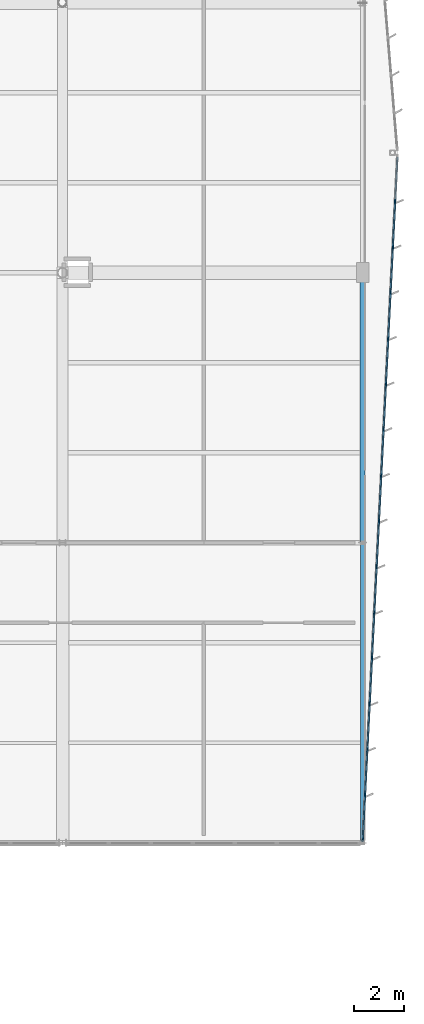
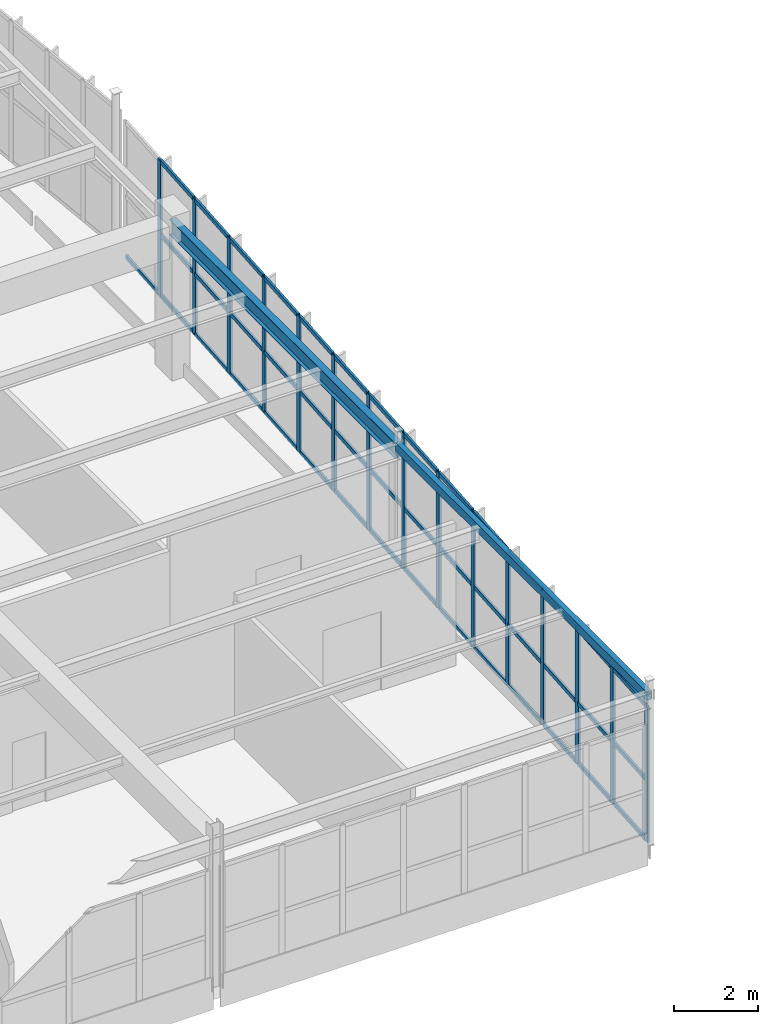
# One storey, part 111 of 186: 58 members, 2 beams, 1 element without a shape of its own.
"""IFC4 building model written with IfcOpenShell, lengths in metres."""

from ifc_helpers import new_model, si_unit, direction, frame, origin, origin_2d, place, context, subcontext, project, spatial, rectangle, hollow_rectangle, i_section, extrude, material, layer, layer_set, material_profile, profile_set, type_object, element, aggregate, save


model = new_model("IFC4")

# Units and contexts
model_context = context("Model", 3, precision=1e-05, world=origin(), true_north=direction((0.0, 1.0)))
body_context = subcontext(model_context, "Body", "Model", "MODEL_VIEW")
ifc_project = project(units=[si_unit("LENGTHUNIT", "METRE"), si_unit("AREAUNIT", "SQUARE_METRE"), si_unit("VOLUMEUNIT", "CUBIC_METRE"), si_unit("PLANEANGLEUNIT", "RADIAN"), si_unit("MASSUNIT", "GRAM", prefix="KILO")], contexts=[model_context])

# Site, building, storey
site_placement = place(None, origin())
site = spatial("IfcSite", under=ifc_project, at=site_placement, CompositionType="ELEMENT")
building_placement = place(site_placement, origin())
building = spatial("IfcBuilding", under=site, at=building_placement, Name="Tarnwether General Hospital", CompositionType="ELEMENT")
storey_placement = place(building_placement, frame((0.0, 0.0, 9.60009765625)))
storey = spatial("IfcBuildingStorey", under=building, at=storey_placement, Name="L02", CompositionType="ELEMENT", Elevation=9.60009765625)

# Beams
ifc_material_1 = material(Name="Steel Grade 350 (350 MPa)", Category="steel")
ifc_material_profile_1 = material_profile(ifc_material_1, i_section(OverallWidth=0.18994140625, OverallDepth=0.4541015625, WebThickness=0.008544921875, FlangeThickness=0.0126953125, at=origin_2d()), Name="460UB67.1")
ifc_profile_set_1 = profile_set([ifc_material_profile_1], Name="Steel Grade 350 (350 MPa)")
beam_type_1 = type_object("IfcBeamType", Name="BM-SP1", PredefinedType="SPANDREL", material=ifc_profile_set_1)
beam_1_placement = place(storey_placement, frame((192.0, 93.60009765625, 4.212890625), z_axis=(0.0, 1.0, 0.0), x_axis=(-1.0, 0.0, 0.0)))
element("IfcBeam", 1, at=beam_1_placement, inside=storey, type_object=beam_type_1, Name="Primary Girder BMG-L02-19200_9360-19200_10440-1645", PredefinedType="SPANDREL", context=body_context, shape_type="SweptSolid", body=[
    extrude(i_section(OverallWidth=0.18994140625, OverallDepth=0.4541015625, WebThickness=0.008544921875, FlangeThickness=0.0126953125, at=origin_2d()), origin(), (0.0, 0.0, 1.0), 10.7998046875),
])
ifc_material_2 = material(Name="Steel Grade C350L0 (350 MPa)", Category="steel")
ifc_material_profile_2 = material_profile(ifc_material_2, hollow_rectangle(XDim=0.14990234375, YDim=0.25, WallThickness=0.008056640625, at=origin_2d()), Name="RHS250x150x8")
ifc_profile_set_2 = profile_set([ifc_material_profile_2], Name="Steel Grade C350L0 (350 MPa)")
beam_type_2 = type_object("IfcBeamType", Name="BM-SP8", PredefinedType="SPANDREL", material=ifc_profile_set_2)
beam_2_placement = place(storey_placement, frame((192.0, 81.60009765625, 4.31494140625), z_axis=(0.0, 1.0, 0.0), x_axis=(-1.0, 0.0, 0.0)))
element("IfcBeam", 2, at=beam_2_placement, inside=storey, type_object=beam_type_2, Name="Primary Girder BMG-L02-19200_8160-19200_9360-1644", PredefinedType="SPANDREL", context=body_context, shape_type="SweptSolid", body=[
    extrude(hollow_rectangle(XDim=0.14990234375, YDim=0.25, WallThickness=0.008056640625, at=origin_2d()), origin(), (0.0, 0.0, 1.0), 12.0),
])

# Curtain wall, members
ifc_material_3 = material(Name="Anodised aluminium", Category="aluminium")
ifc_layer = layer(ifc_material_3, 0.159912109375)
ifc_layer_set = layer_set([ifc_layer], Name="Anodised aluminium")
curtain_wall_type = type_object("IfcCurtainWallType", Name="CW-17", PredefinedType="NOTDEFINED", material=ifc_layer_set)
curtain_wall_placement = place(storey_placement, origin())
curtain_wall = element("IfcCurtainWall", 3, at=curtain_wall_placement, inside=storey, type_object=curtain_wall_type, Name="Curtain Wall CWG-L02-1934_1091-0471", PredefinedType="NOTDEFINED")
ifc_material_4 = material(Name="Anodised aluminium", Category="aluminium")
ifc_material_profile_3 = material_profile(ifc_material_4, rectangle(XDim=0.06005859375, YDim=0.159912109375, at=origin_2d()), Name="ALU-MUL-60x160")
ifc_profile_set_3 = profile_set([ifc_material_profile_3], Name="Anodised aluminium")
member_type_1 = type_object("IfcMemberType", Name="CW-ML1", PredefinedType="MULLION", material=ifc_profile_set_3)
member_1_placement = place(storey_placement, frame((193.30126953125, 107.25390625, 0.0), z_axis=(0.0, 0.0, 1.0), x_axis=(0.998715060385, -0.050677688973, 0.0)))
member_1 = element("IfcMember", 4, at=member_1_placement, type_object=member_type_1, Name="CW-17 mullion 2", PredefinedType="MULLION", context=body_context, shape_type="SweptSolid", body=[
    extrude(rectangle(XDim=0.06005859375, YDim=0.159912109375, at=origin_2d()), origin(), (0.0, 0.0, 1.0), 3.968017578125),
])
member_2_placement = place(storey_placement, frame((193.208740234375, 105.427490234375, 0.0), z_axis=(0.0, 0.0, 1.0), x_axis=(0.998715060385, -0.050677688973, 0.0)))
member_2 = element("IfcMember", 5, at=member_2_placement, type_object=member_type_1, Name="CW-17 mullion 3", PredefinedType="MULLION", context=body_context, shape_type="SweptSolid", body=[
    extrude(rectangle(XDim=0.06005859375, YDim=0.159912109375, at=origin_2d()), origin(), (0.0, 0.0, 1.0), 3.968017578125),
])
member_3_placement = place(storey_placement, frame((193.115966796875, 103.601318359375, 0.0), z_axis=(0.0, 0.0, 1.0), x_axis=(0.998715060385, -0.050677688973, 0.0)))
member_3 = element("IfcMember", 6, at=member_3_placement, type_object=member_type_1, Name="CW-17 mullion 4", PredefinedType="MULLION", context=body_context, shape_type="SweptSolid", body=[
    extrude(rectangle(XDim=0.06005859375, YDim=0.159912109375, at=origin_2d()), origin(), (0.0, 0.0, 1.0), 3.968017578125),
])
member_4_placement = place(storey_placement, frame((193.0234375, 101.775146484375, 0.0), z_axis=(0.0, 0.0, 1.0), x_axis=(0.998715060385, -0.050677688973, 0.0)))
member_4 = element("IfcMember", 7, at=member_4_placement, type_object=member_type_1, Name="CW-17 mullion 5", PredefinedType="MULLION", context=body_context, shape_type="SweptSolid", body=[
    extrude(rectangle(XDim=0.06005859375, YDim=0.159912109375, at=origin_2d()), origin(), (0.0, 0.0, 1.0), 3.968017578125),
])
member_5_placement = place(storey_placement, frame((192.9306640625, 99.948974609375, 0.0), z_axis=(0.0, 0.0, 1.0), x_axis=(0.998715060385, -0.050677688973, 0.0)))
member_5 = element("IfcMember", 8, at=member_5_placement, type_object=member_type_1, Name="CW-17 mullion 6", PredefinedType="MULLION", context=body_context, shape_type="SweptSolid", body=[
    extrude(rectangle(XDim=0.06005859375, YDim=0.159912109375, at=origin_2d()), origin(), (0.0, 0.0, 1.0), 3.968017578125),
])
member_6_placement = place(storey_placement, frame((192.837890625, 98.122802734375, 0.0), z_axis=(0.0, 0.0, 1.0), x_axis=(0.998715060385, -0.050677688973, 0.0)))
member_6 = element("IfcMember", 9, at=member_6_placement, type_object=member_type_1, Name="CW-17 mullion 7", PredefinedType="MULLION", context=body_context, shape_type="SweptSolid", body=[
    extrude(rectangle(XDim=0.06005859375, YDim=0.159912109375, at=origin_2d()), origin(), (0.0, 0.0, 1.0), 3.968017578125),
])
member_7_placement = place(storey_placement, frame((192.745361328125, 96.296630859375, 0.0), z_axis=(0.0, 0.0, 1.0), x_axis=(0.998715060385, -0.050677688973, 0.0)))
member_7 = element("IfcMember", 10, at=member_7_placement, type_object=member_type_1, Name="CW-17 mullion 8", PredefinedType="MULLION", context=body_context, shape_type="SweptSolid", body=[
    extrude(rectangle(XDim=0.06005859375, YDim=0.159912109375, at=origin_2d()), origin(), (0.0, 0.0, 1.0), 3.968017578125),
])
member_8_placement = place(storey_placement, frame((192.652587890625, 94.470458984375, 0.0), z_axis=(0.0, 0.0, 1.0), x_axis=(0.998715060385, -0.050677688973, 0.0)))
member_8 = element("IfcMember", 11, at=member_8_placement, type_object=member_type_1, Name="CW-17 mullion 9", PredefinedType="MULLION", context=body_context, shape_type="SweptSolid", body=[
    extrude(rectangle(XDim=0.06005859375, YDim=0.159912109375, at=origin_2d()), origin(), (0.0, 0.0, 1.0), 3.968017578125),
])
member_9_placement = place(storey_placement, frame((192.56005859375, 92.644287109375, 0.0), z_axis=(0.0, 0.0, 1.0), x_axis=(0.998715060385, -0.050677688973, 0.0)))
member_9 = element("IfcMember", 12, at=member_9_placement, type_object=member_type_1, Name="CW-17 mullion 10", PredefinedType="MULLION", context=body_context, shape_type="SweptSolid", body=[
    extrude(rectangle(XDim=0.06005859375, YDim=0.159912109375, at=origin_2d()), origin(), (0.0, 0.0, 1.0), 3.968017578125),
])
member_10_placement = place(storey_placement, frame((192.46728515625, 90.818115234375, 0.0), z_axis=(0.0, 0.0, 1.0), x_axis=(0.998715060385, -0.050677688973, 0.0)))
member_10 = element("IfcMember", 13, at=member_10_placement, type_object=member_type_1, Name="CW-17 mullion 11", PredefinedType="MULLION", context=body_context, shape_type="SweptSolid", body=[
    extrude(rectangle(XDim=0.06005859375, YDim=0.159912109375, at=origin_2d()), origin(), (0.0, 0.0, 1.0), 3.968017578125),
])
member_11_placement = place(storey_placement, frame((192.374755859375, 88.99169921875, 0.0), z_axis=(0.0, 0.0, 1.0), x_axis=(0.998715060385, -0.050677688973, 0.0)))
member_11 = element("IfcMember", 14, at=member_11_placement, type_object=member_type_1, Name="CW-17 mullion 12", PredefinedType="MULLION", context=body_context, shape_type="SweptSolid", body=[
    extrude(rectangle(XDim=0.06005859375, YDim=0.159912109375, at=origin_2d()), origin(), (0.0, 0.0, 1.0), 3.968017578125),
])
member_12_placement = place(storey_placement, frame((192.281982421875, 87.16552734375, 0.0), z_axis=(0.0, 0.0, 1.0), x_axis=(0.998715060385, -0.050677688973, 0.0)))
member_12 = element("IfcMember", 15, at=member_12_placement, type_object=member_type_1, Name="CW-17 mullion 13", PredefinedType="MULLION", context=body_context, shape_type="SweptSolid", body=[
    extrude(rectangle(XDim=0.06005859375, YDim=0.159912109375, at=origin_2d()), origin(), (0.0, 0.0, 1.0), 3.968017578125),
])
member_13_placement = place(storey_placement, frame((192.189453125, 85.33935546875, 0.0), z_axis=(0.0, 0.0, 1.0), x_axis=(0.998715060385, -0.050677688973, 0.0)))
member_13 = element("IfcMember", 16, at=member_13_placement, type_object=member_type_1, Name="CW-17 mullion 14", PredefinedType="MULLION", context=body_context, shape_type="SweptSolid", body=[
    extrude(rectangle(XDim=0.06005859375, YDim=0.159912109375, at=origin_2d()), origin(), (0.0, 0.0, 1.0), 3.968017578125),
])
member_14_placement = place(storey_placement, frame((192.0966796875, 83.51318359375, 0.0), z_axis=(0.0, 0.0, 1.0), x_axis=(0.998715060385, -0.050677688973, 0.0)))
member_14 = element("IfcMember", 17, at=member_14_placement, type_object=member_type_1, Name="CW-17 mullion 15", PredefinedType="MULLION", context=body_context, shape_type="SweptSolid", body=[
    extrude(rectangle(XDim=0.06005859375, YDim=0.159912109375, at=origin_2d()), origin(), (0.0, 0.0, 1.0), 3.968017578125),
])
member_15_placement = place(storey_placement, frame((192.005615234375, 81.717041015625, 0.0), z_axis=(0.0, 0.0, 1.0), x_axis=(0.998715060385, -0.050677688973, 0.0)))
member_15 = element("IfcMember", 18, at=member_15_placement, type_object=member_type_1, Name="CW-17 mullion 16", PredefinedType="MULLION", context=body_context, shape_type="SweptSolid", body=[
    extrude(rectangle(XDim=0.06005859375, YDim=0.159912109375, at=origin_2d()), origin(), (0.0, 0.0, 1.0), 3.968017578125),
])
ifc_material_5 = material(Name="Anodised aluminium", Category="aluminium")
ifc_material_profile_4 = material_profile(ifc_material_5, rectangle(XDim=0.06005859375, YDim=0.1201171875, at=origin_2d()), Name="ALU-TRN-60x120")
ifc_profile_set_4 = profile_set([ifc_material_profile_4], Name="Anodised aluminium")
member_type_2 = type_object("IfcMemberType", Name="CW-TR1", PredefinedType="USERDEFINED", material=ifc_profile_set_4)
member_16_placement = place(storey_placement, frame((193.390869140625, 109.02001953125, 0.02978515625), z_axis=(-0.050694015422, -0.9987142318, 0.0), x_axis=(0.9987142318, -0.050694015422, 0.0)))
member_16 = element("IfcMember", 19, at=member_16_placement, type_object=member_type_2, Name="CW-17 transom 1.1", ObjectType="TRANSOM", PredefinedType="USERDEFINED", context=body_context, shape_type="SweptSolid", body=[
    extrude(rectangle(XDim=0.06005859375, YDim=0.1201171875, at=origin_2d()), origin(), (0.0, 0.0, 1.0), 1.738525390625),
])
member_17_placement = place(storey_placement, frame((193.2998046875, 107.223876953125, 0.02978515625), z_axis=(-0.050660504096, -0.998715932247, 0.0), x_axis=(0.998715932247, -0.050660504096, 0.0)))
member_17 = element("IfcMember", 20, at=member_17_placement, type_object=member_type_2, Name="CW-17 transom 2.1", ObjectType="TRANSOM", PredefinedType="USERDEFINED", context=body_context, shape_type="SweptSolid", body=[
    extrude(rectangle(XDim=0.06005859375, YDim=0.1201171875, at=origin_2d()), origin(), (0.0, 0.0, 1.0), 1.7685546875),
])
member_18_placement = place(storey_placement, frame((193.2998046875, 107.223876953125, 1.785400390625), z_axis=(-0.050660504096, -0.998715932247, 0.0), x_axis=(0.998715932247, -0.050660504096, 0.0)))
member_18 = element("IfcMember", 21, at=member_18_placement, type_object=member_type_2, Name="CW-17 transom 2.2", ObjectType="TRANSOM", PredefinedType="USERDEFINED", context=body_context, shape_type="SweptSolid", body=[
    extrude(rectangle(XDim=0.06005859375, YDim=0.1201171875, at=origin_2d()), origin(), (0.0, 0.0, 1.0), 1.7685546875),
])
member_19_placement = place(storey_placement, frame((193.2998046875, 107.223876953125, 3.93798828125), z_axis=(-0.050660504096, -0.998715932247, 0.0), x_axis=(0.998715932247, -0.050660504096, 0.0)))
member_19 = element("IfcMember", 22, at=member_19_placement, type_object=member_type_2, Name="CW-17 transom 2.3", ObjectType="TRANSOM", PredefinedType="USERDEFINED", context=body_context, shape_type="SweptSolid", body=[
    extrude(rectangle(XDim=0.06005859375, YDim=0.1201171875, at=origin_2d()), origin(), (0.0, 0.0, 1.0), 1.7685546875),
])
member_20_placement = place(storey_placement, frame((193.20703125, 105.397705078125, 0.02978515625), z_axis=(-0.050660504096, -0.998715932247, 0.0), x_axis=(0.998715932247, -0.050660504096, 0.0)))
member_20 = element("IfcMember", 23, at=member_20_placement, type_object=member_type_2, Name="CW-17 transom 3.1", ObjectType="TRANSOM", PredefinedType="USERDEFINED", context=body_context, shape_type="SweptSolid", body=[
    extrude(rectangle(XDim=0.06005859375, YDim=0.1201171875, at=origin_2d()), origin(), (0.0, 0.0, 1.0), 1.7685546875),
])
member_21_placement = place(storey_placement, frame((193.20703125, 105.397705078125, 1.785400390625), z_axis=(-0.050660504096, -0.998715932247, 0.0), x_axis=(0.998715932247, -0.050660504096, 0.0)))
member_21 = element("IfcMember", 24, at=member_21_placement, type_object=member_type_2, Name="CW-17 transom 3.2", ObjectType="TRANSOM", PredefinedType="USERDEFINED", context=body_context, shape_type="SweptSolid", body=[
    extrude(rectangle(XDim=0.06005859375, YDim=0.1201171875, at=origin_2d()), origin(), (0.0, 0.0, 1.0), 1.7685546875),
])
member_22_placement = place(storey_placement, frame((193.20703125, 105.397705078125, 3.93798828125), z_axis=(-0.050660504096, -0.998715932247, 0.0), x_axis=(0.998715932247, -0.050660504096, 0.0)))
member_22 = element("IfcMember", 25, at=member_22_placement, type_object=member_type_2, Name="CW-17 transom 3.3", ObjectType="TRANSOM", PredefinedType="USERDEFINED", context=body_context, shape_type="SweptSolid", body=[
    extrude(rectangle(XDim=0.06005859375, YDim=0.1201171875, at=origin_2d()), origin(), (0.0, 0.0, 1.0), 1.7685546875),
])
member_23_placement = place(storey_placement, frame((193.114501953125, 103.571533203125, 0.02978515625), z_axis=(-0.050660504096, -0.998715932247, 0.0), x_axis=(0.998715932247, -0.050660504096, 0.0)))
member_23 = element("IfcMember", 26, at=member_23_placement, type_object=member_type_2, Name="CW-17 transom 4.1", ObjectType="TRANSOM", PredefinedType="USERDEFINED", context=body_context, shape_type="SweptSolid", body=[
    extrude(rectangle(XDim=0.06005859375, YDim=0.1201171875, at=origin_2d()), origin(), (0.0, 0.0, 1.0), 1.7685546875),
])
member_24_placement = place(storey_placement, frame((193.114501953125, 103.571533203125, 1.785400390625), z_axis=(-0.050660504096, -0.998715932247, 0.0), x_axis=(0.998715932247, -0.050660504096, 0.0)))
member_24 = element("IfcMember", 27, at=member_24_placement, type_object=member_type_2, Name="CW-17 transom 4.2", ObjectType="TRANSOM", PredefinedType="USERDEFINED", context=body_context, shape_type="SweptSolid", body=[
    extrude(rectangle(XDim=0.06005859375, YDim=0.1201171875, at=origin_2d()), origin(), (0.0, 0.0, 1.0), 1.7685546875),
])
member_25_placement = place(storey_placement, frame((193.114501953125, 103.571533203125, 3.93798828125), z_axis=(-0.050660504096, -0.998715932247, 0.0), x_axis=(0.998715932247, -0.050660504096, 0.0)))
member_25 = element("IfcMember", 28, at=member_25_placement, type_object=member_type_2, Name="CW-17 transom 4.3", ObjectType="TRANSOM", PredefinedType="USERDEFINED", context=body_context, shape_type="SweptSolid", body=[
    extrude(rectangle(XDim=0.06005859375, YDim=0.1201171875, at=origin_2d()), origin(), (0.0, 0.0, 1.0), 1.7685546875),
])
member_26_placement = place(storey_placement, frame((193.021728515625, 101.7451171875, 0.02978515625), z_axis=(-0.05066748923, -0.998715577898, 0.0), x_axis=(0.998715577898, -0.05066748923, 0.0)))
member_26 = element("IfcMember", 29, at=member_26_placement, type_object=member_type_2, Name="CW-17 transom 5.1", ObjectType="TRANSOM", PredefinedType="USERDEFINED", context=body_context, shape_type="SweptSolid", body=[
    extrude(rectangle(XDim=0.06005859375, YDim=0.1201171875, at=origin_2d()), origin(), (0.0, 0.0, 1.0), 1.768310546875),
])
member_27_placement = place(storey_placement, frame((193.021728515625, 101.7451171875, 1.785400390625), z_axis=(-0.05066748923, -0.998715577898, 0.0), x_axis=(0.998715577898, -0.05066748923, 0.0)))
member_27 = element("IfcMember", 30, at=member_27_placement, type_object=member_type_2, Name="CW-17 transom 5.2", ObjectType="TRANSOM", PredefinedType="USERDEFINED", context=body_context, shape_type="SweptSolid", body=[
    extrude(rectangle(XDim=0.06005859375, YDim=0.1201171875, at=origin_2d()), origin(), (0.0, 0.0, 1.0), 1.768310546875),
])
member_28_placement = place(storey_placement, frame((193.021728515625, 101.7451171875, 3.93798828125), z_axis=(-0.05066748923, -0.998715577898, 0.0), x_axis=(0.998715577898, -0.05066748923, 0.0)))
member_28 = element("IfcMember", 31, at=member_28_placement, type_object=member_type_2, Name="CW-17 transom 5.3", ObjectType="TRANSOM", PredefinedType="USERDEFINED", context=body_context, shape_type="SweptSolid", body=[
    extrude(rectangle(XDim=0.06005859375, YDim=0.1201171875, at=origin_2d()), origin(), (0.0, 0.0, 1.0), 1.768310546875),
])
member_29_placement = place(storey_placement, frame((192.92919921875, 99.9189453125, 0.02978515625), z_axis=(-0.05066748923, -0.998715577898, 0.0), x_axis=(0.998715577898, -0.05066748923, 0.0)))
member_29 = element("IfcMember", 32, at=member_29_placement, type_object=member_type_2, Name="CW-17 transom 6.1", ObjectType="TRANSOM", PredefinedType="USERDEFINED", context=body_context, shape_type="SweptSolid", body=[
    extrude(rectangle(XDim=0.06005859375, YDim=0.1201171875, at=origin_2d()), origin(), (0.0, 0.0, 1.0), 1.768310546875),
])
member_30_placement = place(storey_placement, frame((192.92919921875, 99.9189453125, 1.785400390625), z_axis=(-0.05066748923, -0.998715577898, 0.0), x_axis=(0.998715577898, -0.05066748923, 0.0)))
member_30 = element("IfcMember", 33, at=member_30_placement, type_object=member_type_2, Name="CW-17 transom 6.2", ObjectType="TRANSOM", PredefinedType="USERDEFINED", context=body_context, shape_type="SweptSolid", body=[
    extrude(rectangle(XDim=0.06005859375, YDim=0.1201171875, at=origin_2d()), origin(), (0.0, 0.0, 1.0), 1.768310546875),
])
member_31_placement = place(storey_placement, frame((192.92919921875, 99.9189453125, 3.93798828125), z_axis=(-0.05066748923, -0.998715577898, 0.0), x_axis=(0.998715577898, -0.05066748923, 0.0)))
member_31 = element("IfcMember", 34, at=member_31_placement, type_object=member_type_2, Name="CW-17 transom 6.3", ObjectType="TRANSOM", PredefinedType="USERDEFINED", context=body_context, shape_type="SweptSolid", body=[
    extrude(rectangle(XDim=0.06005859375, YDim=0.1201171875, at=origin_2d()), origin(), (0.0, 0.0, 1.0), 1.768310546875),
])
member_32_placement = place(storey_placement, frame((192.83642578125, 98.0927734375, 0.02978515625), z_axis=(-0.05066748923, -0.998715577898, 0.0), x_axis=(0.998715577898, -0.05066748923, 0.0)))
member_32 = element("IfcMember", 35, at=member_32_placement, type_object=member_type_2, Name="CW-17 transom 7.1", ObjectType="TRANSOM", PredefinedType="USERDEFINED", context=body_context, shape_type="SweptSolid", body=[
    extrude(rectangle(XDim=0.06005859375, YDim=0.1201171875, at=origin_2d()), origin(), (0.0, 0.0, 1.0), 1.768310546875),
])
member_33_placement = place(storey_placement, frame((192.83642578125, 98.0927734375, 1.785400390625), z_axis=(-0.05066748923, -0.998715577898, 0.0), x_axis=(0.998715577898, -0.05066748923, 0.0)))
member_33 = element("IfcMember", 36, at=member_33_placement, type_object=member_type_2, Name="CW-17 transom 7.2", ObjectType="TRANSOM", PredefinedType="USERDEFINED", context=body_context, shape_type="SweptSolid", body=[
    extrude(rectangle(XDim=0.06005859375, YDim=0.1201171875, at=origin_2d()), origin(), (0.0, 0.0, 1.0), 1.768310546875),
])
member_34_placement = place(storey_placement, frame((192.83642578125, 98.0927734375, 3.93798828125), z_axis=(-0.05066748923, -0.998715577898, 0.0), x_axis=(0.998715577898, -0.05066748923, 0.0)))
member_34 = element("IfcMember", 37, at=member_34_placement, type_object=member_type_2, Name="CW-17 transom 7.3", ObjectType="TRANSOM", PredefinedType="USERDEFINED", context=body_context, shape_type="SweptSolid", body=[
    extrude(rectangle(XDim=0.06005859375, YDim=0.1201171875, at=origin_2d()), origin(), (0.0, 0.0, 1.0), 1.768310546875),
])
member_35_placement = place(storey_placement, frame((192.743896484375, 96.2666015625, 0.02978515625), z_axis=(-0.050660504096, -0.998715932247, 0.0), x_axis=(0.998715932247, -0.050660504096, 0.0)))
member_35 = element("IfcMember", 38, at=member_35_placement, type_object=member_type_2, Name="CW-17 transom 8.1", ObjectType="TRANSOM", PredefinedType="USERDEFINED", context=body_context, shape_type="SweptSolid", body=[
    extrude(rectangle(XDim=0.06005859375, YDim=0.1201171875, at=origin_2d()), origin(), (0.0, 0.0, 1.0), 1.7685546875),
])
member_36_placement = place(storey_placement, frame((192.743896484375, 96.2666015625, 1.785400390625), z_axis=(-0.050660504096, -0.998715932247, 0.0), x_axis=(0.998715932247, -0.050660504096, 0.0)))
member_36 = element("IfcMember", 39, at=member_36_placement, type_object=member_type_2, Name="CW-17 transom 8.2", ObjectType="TRANSOM", PredefinedType="USERDEFINED", context=body_context, shape_type="SweptSolid", body=[
    extrude(rectangle(XDim=0.06005859375, YDim=0.1201171875, at=origin_2d()), origin(), (0.0, 0.0, 1.0), 1.7685546875),
])
member_37_placement = place(storey_placement, frame((192.743896484375, 96.2666015625, 3.93798828125), z_axis=(-0.050660504096, -0.998715932247, 0.0), x_axis=(0.998715932247, -0.050660504096, 0.0)))
member_37 = element("IfcMember", 40, at=member_37_placement, type_object=member_type_2, Name="CW-17 transom 8.3", ObjectType="TRANSOM", PredefinedType="USERDEFINED", context=body_context, shape_type="SweptSolid", body=[
    extrude(rectangle(XDim=0.06005859375, YDim=0.1201171875, at=origin_2d()), origin(), (0.0, 0.0, 1.0), 1.7685546875),
])
member_38_placement = place(storey_placement, frame((192.651123046875, 94.4404296875, 0.02978515625), z_axis=(-0.050660504096, -0.998715932247, 0.0), x_axis=(0.998715932247, -0.050660504096, 0.0)))
member_38 = element("IfcMember", 41, at=member_38_placement, type_object=member_type_2, Name="CW-17 transom 9.1", ObjectType="TRANSOM", PredefinedType="USERDEFINED", context=body_context, shape_type="SweptSolid", body=[
    extrude(rectangle(XDim=0.06005859375, YDim=0.1201171875, at=origin_2d()), origin(), (0.0, 0.0, 1.0), 1.7685546875),
])
member_39_placement = place(storey_placement, frame((192.651123046875, 94.4404296875, 1.785400390625), z_axis=(-0.050660504096, -0.998715932247, 0.0), x_axis=(0.998715932247, -0.050660504096, 0.0)))
member_39 = element("IfcMember", 42, at=member_39_placement, type_object=member_type_2, Name="CW-17 transom 9.2", ObjectType="TRANSOM", PredefinedType="USERDEFINED", context=body_context, shape_type="SweptSolid", body=[
    extrude(rectangle(XDim=0.06005859375, YDim=0.1201171875, at=origin_2d()), origin(), (0.0, 0.0, 1.0), 1.7685546875),
])
member_40_placement = place(storey_placement, frame((192.651123046875, 94.4404296875, 3.93798828125), z_axis=(-0.050660504096, -0.998715932247, 0.0), x_axis=(0.998715932247, -0.050660504096, 0.0)))
member_40 = element("IfcMember", 43, at=member_40_placement, type_object=member_type_2, Name="CW-17 transom 9.3", ObjectType="TRANSOM", PredefinedType="USERDEFINED", context=body_context, shape_type="SweptSolid", body=[
    extrude(rectangle(XDim=0.06005859375, YDim=0.1201171875, at=origin_2d()), origin(), (0.0, 0.0, 1.0), 1.7685546875),
])
member_41_placement = place(storey_placement, frame((192.55859375, 92.6142578125, 0.02978515625), z_axis=(-0.050798187895, -0.998708938634, 0.0), x_axis=(0.998708938634, -0.050798187895, 0.0)))
member_41 = element("IfcMember", 44, at=member_41_placement, type_object=member_type_2, Name="CW-17 transom 10.1", ObjectType="TRANSOM", PredefinedType="USERDEFINED", context=body_context, shape_type="SweptSolid", body=[
    extrude(rectangle(XDim=0.06005859375, YDim=0.1201171875, at=origin_2d()), origin(), (0.0, 0.0, 1.0), 1.7685546875),
])
member_42_placement = place(storey_placement, frame((192.55859375, 92.6142578125, 1.785400390625), z_axis=(-0.050798187895, -0.998708938634, 0.0), x_axis=(0.998708938634, -0.050798187895, 0.0)))
member_42 = element("IfcMember", 45, at=member_42_placement, type_object=member_type_2, Name="CW-17 transom 10.2", ObjectType="TRANSOM", PredefinedType="USERDEFINED", context=body_context, shape_type="SweptSolid", body=[
    extrude(rectangle(XDim=0.06005859375, YDim=0.1201171875, at=origin_2d()), origin(), (0.0, 0.0, 1.0), 1.7685546875),
])
member_43_placement = place(storey_placement, frame((192.55859375, 92.6142578125, 3.93798828125), z_axis=(-0.050798187895, -0.998708938634, 0.0), x_axis=(0.998708938634, -0.050798187895, 0.0)))
member_43 = element("IfcMember", 46, at=member_43_placement, type_object=member_type_2, Name="CW-17 transom 10.3", ObjectType="TRANSOM", PredefinedType="USERDEFINED", context=body_context, shape_type="SweptSolid", body=[
    extrude(rectangle(XDim=0.06005859375, YDim=0.1201171875, at=origin_2d()), origin(), (0.0, 0.0, 1.0), 1.7685546875),
])
member_44_placement = place(storey_placement, frame((192.4658203125, 90.7880859375, 0.02978515625), z_axis=(-0.050660504096, -0.998715932247, 0.0), x_axis=(0.998715932247, -0.050660504096, 0.0)))
member_44 = element("IfcMember", 47, at=member_44_placement, type_object=member_type_2, Name="CW-17 transom 11.1", ObjectType="TRANSOM", PredefinedType="USERDEFINED", context=body_context, shape_type="SweptSolid", body=[
    extrude(rectangle(XDim=0.06005859375, YDim=0.1201171875, at=origin_2d()), origin(), (0.0, 0.0, 1.0), 1.7685546875),
])
member_45_placement = place(storey_placement, frame((192.4658203125, 90.7880859375, 1.785400390625), z_axis=(-0.050660504096, -0.998715932247, 0.0), x_axis=(0.998715932247, -0.050660504096, 0.0)))
member_45 = element("IfcMember", 48, at=member_45_placement, type_object=member_type_2, Name="CW-17 transom 11.2", ObjectType="TRANSOM", PredefinedType="USERDEFINED", context=body_context, shape_type="SweptSolid", body=[
    extrude(rectangle(XDim=0.06005859375, YDim=0.1201171875, at=origin_2d()), origin(), (0.0, 0.0, 1.0), 1.7685546875),
])
member_46_placement = place(storey_placement, frame((192.4658203125, 90.7880859375, 3.93798828125), z_axis=(-0.050660504096, -0.998715932247, 0.0), x_axis=(0.998715932247, -0.050660504096, 0.0)))
member_46 = element("IfcMember", 49, at=member_46_placement, type_object=member_type_2, Name="CW-17 transom 11.3", ObjectType="TRANSOM", PredefinedType="USERDEFINED", context=body_context, shape_type="SweptSolid", body=[
    extrude(rectangle(XDim=0.06005859375, YDim=0.1201171875, at=origin_2d()), origin(), (0.0, 0.0, 1.0), 1.7685546875),
])
member_47_placement = place(storey_placement, frame((192.373046875, 88.9619140625, 0.02978515625), z_axis=(-0.050660504096, -0.998715932247, 0.0), x_axis=(0.998715932247, -0.050660504096, 0.0)))
member_47 = element("IfcMember", 50, at=member_47_placement, type_object=member_type_2, Name="CW-17 transom 12.1", ObjectType="TRANSOM", PredefinedType="USERDEFINED", context=body_context, shape_type="SweptSolid", body=[
    extrude(rectangle(XDim=0.06005859375, YDim=0.1201171875, at=origin_2d()), origin(), (0.0, 0.0, 1.0), 1.7685546875),
])
member_48_placement = place(storey_placement, frame((192.373046875, 88.9619140625, 1.785400390625), z_axis=(-0.050660504096, -0.998715932247, 0.0), x_axis=(0.998715932247, -0.050660504096, 0.0)))
member_48 = element("IfcMember", 51, at=member_48_placement, type_object=member_type_2, Name="CW-17 transom 12.2", ObjectType="TRANSOM", PredefinedType="USERDEFINED", context=body_context, shape_type="SweptSolid", body=[
    extrude(rectangle(XDim=0.06005859375, YDim=0.1201171875, at=origin_2d()), origin(), (0.0, 0.0, 1.0), 1.7685546875),
])
member_49_placement = place(storey_placement, frame((192.373046875, 88.9619140625, 3.93798828125), z_axis=(-0.050660504096, -0.998715932247, 0.0), x_axis=(0.998715932247, -0.050660504096, 0.0)))
member_49 = element("IfcMember", 52, at=member_49_placement, type_object=member_type_2, Name="CW-17 transom 12.3", ObjectType="TRANSOM", PredefinedType="USERDEFINED", context=body_context, shape_type="SweptSolid", body=[
    extrude(rectangle(XDim=0.06005859375, YDim=0.1201171875, at=origin_2d()), origin(), (0.0, 0.0, 1.0), 1.7685546875),
])
member_50_placement = place(storey_placement, frame((192.280517578125, 87.1357421875, 0.02978515625), z_axis=(-0.050660504096, -0.998715932247, 0.0), x_axis=(0.998715932247, -0.050660504096, 0.0)))
member_50 = element("IfcMember", 53, at=member_50_placement, type_object=member_type_2, Name="CW-17 transom 13.1", ObjectType="TRANSOM", PredefinedType="USERDEFINED", context=body_context, shape_type="SweptSolid", body=[
    extrude(rectangle(XDim=0.06005859375, YDim=0.1201171875, at=origin_2d()), origin(), (0.0, 0.0, 1.0), 1.7685546875),
])
member_51_placement = place(storey_placement, frame((192.280517578125, 87.1357421875, 1.785400390625), z_axis=(-0.050660504096, -0.998715932247, 0.0), x_axis=(0.998715932247, -0.050660504096, 0.0)))
member_51 = element("IfcMember", 54, at=member_51_placement, type_object=member_type_2, Name="CW-17 transom 13.2", ObjectType="TRANSOM", PredefinedType="USERDEFINED", context=body_context, shape_type="SweptSolid", body=[
    extrude(rectangle(XDim=0.06005859375, YDim=0.1201171875, at=origin_2d()), origin(), (0.0, 0.0, 1.0), 1.7685546875),
])
member_52_placement = place(storey_placement, frame((192.280517578125, 87.1357421875, 3.93798828125), z_axis=(-0.050660504096, -0.998715932247, 0.0), x_axis=(0.998715932247, -0.050660504096, 0.0)))
member_52 = element("IfcMember", 55, at=member_52_placement, type_object=member_type_2, Name="CW-17 transom 13.3", ObjectType="TRANSOM", PredefinedType="USERDEFINED", context=body_context, shape_type="SweptSolid", body=[
    extrude(rectangle(XDim=0.06005859375, YDim=0.1201171875, at=origin_2d()), origin(), (0.0, 0.0, 1.0), 1.7685546875),
])
member_53_placement = place(storey_placement, frame((192.187744140625, 85.309326171875, 0.02978515625), z_axis=(-0.05066748923, -0.998715577898, 0.0), x_axis=(0.998715577898, -0.05066748923, 0.0)))
member_53 = element("IfcMember", 56, at=member_53_placement, type_object=member_type_2, Name="CW-17 transom 14.1", ObjectType="TRANSOM", PredefinedType="USERDEFINED", context=body_context, shape_type="SweptSolid", body=[
    extrude(rectangle(XDim=0.06005859375, YDim=0.1201171875, at=origin_2d()), origin(), (0.0, 0.0, 1.0), 1.768310546875),
])
member_54_placement = place(storey_placement, frame((192.187744140625, 85.309326171875, 1.785400390625), z_axis=(-0.05066748923, -0.998715577898, 0.0), x_axis=(0.998715577898, -0.05066748923, 0.0)))
member_54 = element("IfcMember", 57, at=member_54_placement, type_object=member_type_2, Name="CW-17 transom 14.2", ObjectType="TRANSOM", PredefinedType="USERDEFINED", context=body_context, shape_type="SweptSolid", body=[
    extrude(rectangle(XDim=0.06005859375, YDim=0.1201171875, at=origin_2d()), origin(), (0.0, 0.0, 1.0), 1.768310546875),
])
member_55_placement = place(storey_placement, frame((192.187744140625, 85.309326171875, 3.93798828125), z_axis=(-0.05066748923, -0.998715577898, 0.0), x_axis=(0.998715577898, -0.05066748923, 0.0)))
member_55 = element("IfcMember", 58, at=member_55_placement, type_object=member_type_2, Name="CW-17 transom 14.3", ObjectType="TRANSOM", PredefinedType="USERDEFINED", context=body_context, shape_type="SweptSolid", body=[
    extrude(rectangle(XDim=0.06005859375, YDim=0.1201171875, at=origin_2d()), origin(), (0.0, 0.0, 1.0), 1.768310546875),
])
member_56_placement = place(storey_placement, frame((192.09521484375, 83.483154296875, 0.02978515625), z_axis=(-0.050694015422, -0.9987142318, 0.0), x_axis=(0.9987142318, -0.050694015422, 0.0)))
member_56 = element("IfcMember", 59, at=member_56_placement, type_object=member_type_2, Name="CW-17 transom 15.1", ObjectType="TRANSOM", PredefinedType="USERDEFINED", context=body_context, shape_type="SweptSolid", body=[
    extrude(rectangle(XDim=0.06005859375, YDim=0.1201171875, at=origin_2d()), origin(), (0.0, 0.0, 1.0), 1.738525390625),
])
member_57_placement = place(storey_placement, frame((192.09521484375, 83.483154296875, 1.785400390625), z_axis=(-0.050694015422, -0.9987142318, 0.0), x_axis=(0.9987142318, -0.050694015422, 0.0)))
member_57 = element("IfcMember", 60, at=member_57_placement, type_object=member_type_2, Name="CW-17 transom 15.2", ObjectType="TRANSOM", PredefinedType="USERDEFINED", context=body_context, shape_type="SweptSolid", body=[
    extrude(rectangle(XDim=0.06005859375, YDim=0.1201171875, at=origin_2d()), origin(), (0.0, 0.0, 1.0), 1.738525390625),
])
member_58_placement = place(storey_placement, frame((192.09521484375, 83.483154296875, 3.93798828125), z_axis=(-0.050694015422, -0.9987142318, 0.0), x_axis=(0.9987142318, -0.050694015422, 0.0)))
member_58 = element("IfcMember", 61, at=member_58_placement, type_object=member_type_2, Name="CW-17 transom 15.3", ObjectType="TRANSOM", PredefinedType="USERDEFINED", context=body_context, shape_type="SweptSolid", body=[
    extrude(rectangle(XDim=0.06005859375, YDim=0.1201171875, at=origin_2d()), origin(), (0.0, 0.0, 1.0), 1.738525390625),
])
aggregate(curtain_wall, [member_1, member_2, member_3, member_4, member_5, member_6, member_7, member_8, member_9, member_10, member_11, member_12, member_13, member_14, member_15, member_16, member_17, member_18, member_19, member_20, member_21, member_22, member_23, member_24, member_25, member_26, member_27, member_28, member_29, member_30, member_31, member_32, member_33, member_34, member_35, member_36, member_37, member_38, member_39, member_40, member_41, member_42, member_43, member_44, member_45, member_46, member_47, member_48, member_49, member_50, member_51, member_52, member_53, member_54, member_55, member_56, member_57, member_58])

save(model, "model.ifc")
